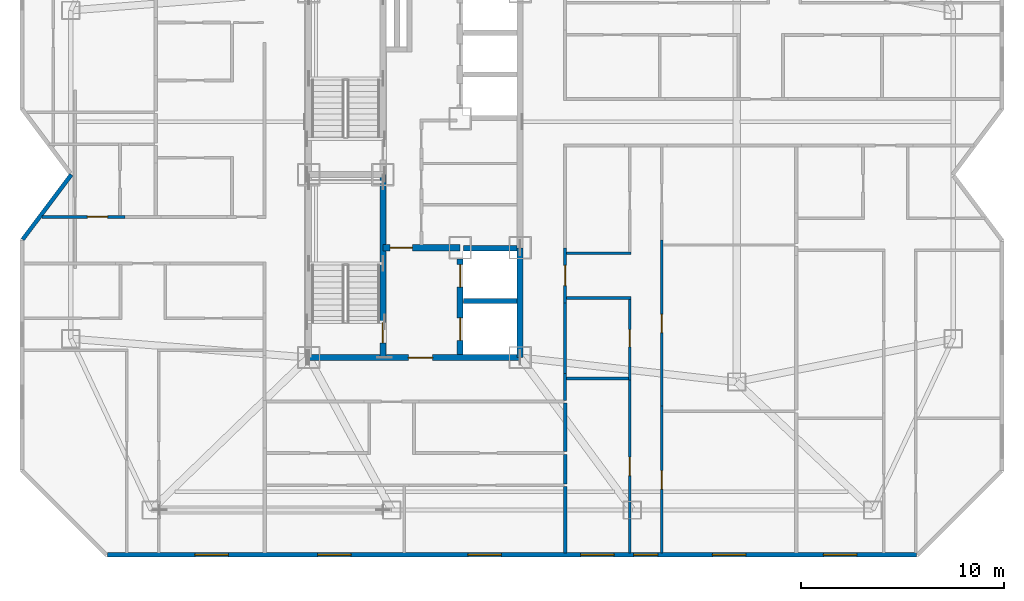
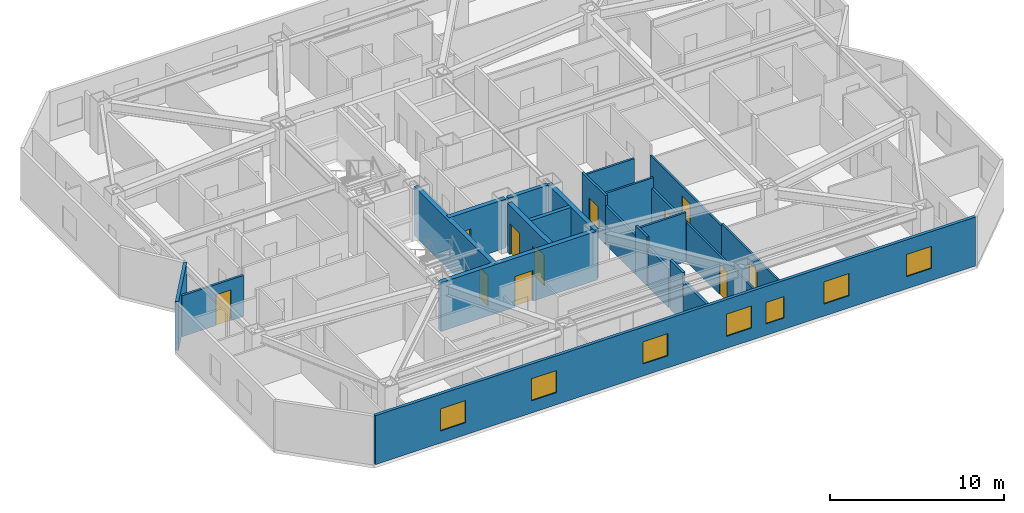
# One storey, part 6 of 11: 23 walls, 11 doors, 7 windows, 18 openings.
"""IFC4 building model written with IfcOpenShell, lengths in metres."""

from ifc_helpers import new_model, si_unit, direction, frame, frame_2d, origin, place, context, subcontext, project, spatial, rectangle, extrude, material, layer, layer_set, type_object, element, fill, save


model = new_model("IFC4")

# Units and contexts
model_context = context("Model", 3, precision=1e-05, world=origin(), true_north=direction((0.0, 1.0)))
body_context = subcontext(model_context, "Body", "Model", "MODEL_VIEW")
ifc_project = project(units=[si_unit("LENGTHUNIT", "METRE"), si_unit("AREAUNIT", "SQUARE_METRE"), si_unit("VOLUMEUNIT", "CUBIC_METRE"), si_unit("PLANEANGLEUNIT", "RADIAN"), si_unit("MASSUNIT", "GRAM", prefix="KILO")], contexts=[model_context])

# Site, building, storey
site_placement = place(None, origin())
site = spatial("IfcSite", under=ifc_project, at=site_placement, CompositionType="ELEMENT")
building_placement = place(site_placement, origin())
building = spatial("IfcBuilding", under=site, at=building_placement, Name="Khamvora Tower", CompositionType="ELEMENT")
storey_placement = place(building_placement, frame((0.0, 0.0, 174.14990234375)))
storey = spatial("IfcBuildingStorey", under=building, at=storey_placement, Name="L44", CompositionType="ELEMENT", Elevation=174.14990234375)

# Wall, opening, door
ifc_material_1 = material(Name="Concrete C50/60", Category="concrete")
ifc_layer_1 = layer(ifc_material_1, 0.300048828125)
ifc_layer_set_1 = layer_set([ifc_layer_1], Name="Concrete C50/60")
wall_type_1 = type_object("IfcWallType", Name="WAL-CORE-300", PredefinedType="SHEAR", material=ifc_layer_set_1)
wall_1_placement = place(storey_placement, frame((29.0, 19.0, 0.0), z_axis=(0.0, 0.0, 1.0), x_axis=(1.0, 0.0, 0.0)))
wall_1 = element("IfcWall", 1, at=wall_1_placement, inside=storey, type_object=wall_type_1, Name="L44 central core south wall", PredefinedType="SHEAR", context=body_context, shape_type="SweptSolid", body=[
    extrude(rectangle(XDim=10.39990234375, YDim=0.300048828125, at=frame_2d((5.199951171875, 0.0))), origin(), (0.0, 0.0, 1.0), 3.43017578125),
])
opening_1_placement = place(wall_1_placement, frame((4.89990234375, 0.0, 0.0)))
opening_1 = element("IfcOpeningElement", 2, at=opening_1_placement, cuts=wall_1, Name="Opening D-CR1", PredefinedType="OPENING", context=body_context, shape_type="SweptSolid", body=[
    extrude(rectangle(XDim=1.199951171875, YDim=2.14990234375, at=frame_2d((0.60009765625, 1.074951171875))), frame((0.0, 0.159912109375, 0.0), z_axis=(0.0, -1.0, 0.0), x_axis=(1.0, 0.0, 0.0)), (0.0, 0.0, 1.0), 0.320068359375),
])
ifc_material_2 = material(Name="Powder-Coated Steel and Hardwood Leaf", Category="steel")
door_type_1 = type_object("IfcDoorType", Name="DOR-CORR-1200", OperationType="NOTDEFINED", PredefinedType="DOOR", material=ifc_material_2)
door_1_placement = place(opening_1_placement, origin())
door_1 = element("IfcDoor", 3, at=door_1_placement, inside=storey, type_object=door_type_1, Name="L44 south core lobby to corridor fire door", OperationType="SINGLE_SWING_LEFT", OverallHeight=2.14990234375, OverallWidth=1.199951171875, PredefinedType="DOOR", context=body_context, shape_type="SweptSolid", body=[
    extrude(rectangle(XDim=1.199951171875, YDim=2.14990234375, at=frame_2d((0.60009765625, 1.074951171875))), frame((0.0, 0.02490234375, 0.0), z_axis=(0.0, -1.0, 0.0), x_axis=(1.0, 0.0, 0.0)), (0.0, 0.0, 1.0), 0.050048828125),
])
fill(opening_1, door_1)

# Wall
wall_2_placement = place(storey_placement, frame((39.39990234375, 19.0, 0.0), z_axis=(0.0, 0.0, 1.0), x_axis=(0.0, 1.0, 0.0)))
element("IfcWall", 4, at=wall_2_placement, inside=storey, type_object=wall_type_1, Name="L44 central core east south wall", PredefinedType="SHEAR", context=body_context, shape_type="SweptSolid", body=[
    extrude(rectangle(XDim=5.39990234375, YDim=0.300048828125, at=frame_2d((2.699951171875, 0.0))), origin(), (0.0, 0.0, 1.0), 3.43017578125),
])

# Wall, opening, door
wall_3_placement = place(storey_placement, frame((32.64990234375, 19.0, 0.0), z_axis=(0.0, 0.0, 1.0), x_axis=(0.0, 1.0, 0.0)))
wall_3 = element("IfcWall", 5, at=wall_3_placement, inside=storey, type_object=wall_type_1, Name="L44 central core stair south spine wall", PredefinedType="SHEAR", context=body_context, shape_type="SweptSolid", body=[
    extrude(rectangle(XDim=9.0, YDim=0.300048828125, at=frame_2d((4.5, 0.0))), origin(), (0.0, 0.0, 1.0), 3.43017578125),
])
opening_2_placement = place(wall_3_placement, frame((0.719970703125, 0.0, 0.0)))
opening_2 = element("IfcOpeningElement", 6, at=opening_2_placement, cuts=wall_3, Name="Opening D-ST1", PredefinedType="OPENING", context=body_context, shape_type="SweptSolid", body=[
    extrude(rectangle(XDim=1.0, YDim=2.14990234375, at=frame_2d((0.5, 1.074951171875))), frame((0.0, 0.159912109375, 0.0), z_axis=(0.0, -1.0, 0.0), x_axis=(1.0, 0.0, 0.0)), (0.0, 0.0, 1.0), 0.320068359375),
])
door_type_2 = type_object("IfcDoorType", Name="DOR-STAIR-1000", OperationType="NOTDEFINED", PredefinedType="DOOR", material=ifc_material_2)
door_2_placement = place(opening_2_placement, origin())
door_2 = element("IfcDoor", 7, at=door_2_placement, inside=storey, type_object=door_type_2, Name="L44 exit stair ST-01 fire door", OperationType="SINGLE_SWING_RIGHT", OverallHeight=2.14990234375, OverallWidth=1.0, PredefinedType="DOOR", context=body_context, shape_type="SweptSolid", body=[
    extrude(rectangle(XDim=1.0, YDim=2.14990234375, at=frame_2d((0.5, 1.074951171875))), frame((0.0, 0.02490234375, 0.0), z_axis=(0.0, -1.0, 0.0), x_axis=(1.0, 0.0, 0.0)), (0.0, 0.0, 1.0), 0.050048828125),
])
fill(opening_2, door_2)

wall_4_placement = place(storey_placement, frame((32.64990234375, 24.39990234375, 0.0), z_axis=(0.0, 0.0, 1.0), x_axis=(1.0, 0.0, 0.0)))
wall_4 = element("IfcWall", 8, at=wall_4_placement, inside=storey, type_object=wall_type_1, Name="L44 central core firefighting lobby north wall", PredefinedType="SHEAR", context=body_context, shape_type="SweptSolid", body=[
    extrude(rectangle(XDim=3.800048828125, YDim=0.300048828125, at=frame_2d((1.89990234375, 0.0))), origin(), (0.0, 0.0, 1.0), 3.43017578125),
])
opening_3_placement = place(wall_4_placement, frame((0.35009765625, 0.0, 0.0)))
opening_3 = element("IfcOpeningElement", 9, at=opening_3_placement, cuts=wall_4, Name="Opening D-FF1", PredefinedType="OPENING", context=body_context, shape_type="SweptSolid", body=[
    extrude(rectangle(XDim=1.10009765625, YDim=2.14990234375, at=frame_2d((0.550048828125, 1.074951171875))), frame((0.0, 0.159912109375, 0.0), z_axis=(0.0, -1.0, 0.0), x_axis=(1.0, 0.0, 0.0)), (0.0, 0.0, 1.0), 0.320068359375),
])
door_type_3 = type_object("IfcDoorType", Name="DOR-FFLOB-1100", OperationType="NOTDEFINED", PredefinedType="DOOR", material=ifc_material_2)
door_3_placement = place(opening_3_placement, origin())
door_3 = element("IfcDoor", 10, at=door_3_placement, inside=storey, type_object=door_type_3, Name="L44 firefighting lobby smoke-seal fire door", OperationType="SINGLE_SWING_RIGHT", OverallHeight=2.14990234375, OverallWidth=1.10009765625, PredefinedType="DOOR", context=body_context, shape_type="SweptSolid", body=[
    extrude(rectangle(XDim=1.10009765625, YDim=2.14990234375, at=frame_2d((0.550048828125, 1.074951171875))), frame((0.0, 0.02490234375, 0.0), z_axis=(0.0, -1.0, 0.0), x_axis=(1.0, 0.0, 0.0)), (0.0, 0.0, 1.0), 0.050048828125),
])
fill(opening_3, door_3)

# Wall, openings, doors
wall_5_placement = place(storey_placement, frame((36.449951171875, 19.154052734375, 0.0), z_axis=(0.0, 0.0, 1.0), x_axis=(0.0, 1.0, 0.0)))
wall_5 = element("IfcWall", 11, at=wall_5_placement, inside=storey, type_object=wall_type_1, Name="L44 central core lift bank south wall", PredefinedType="SHEAR", context=body_context, shape_type="SweptSolid", body=[
    extrude(rectangle(XDim=4.696044921875, YDim=0.300048828125, at=frame_2d((2.34814453125, 0.0))), origin(), (0.0, 0.0, 1.0), 3.43017578125),
])
opening_4_placement = place(wall_5_placement, frame((0.696044921875, 0.0, 0.0)))
opening_4 = element("IfcOpeningElement", 12, at=opening_4_placement, cuts=wall_5, Name="Opening LD-FFL", PredefinedType="OPENING", context=body_context, shape_type="SweptSolid", body=[
    extrude(rectangle(XDim=1.10009765625, YDim=2.14990234375, at=frame_2d((0.550048828125, 1.074951171875))), frame((0.0, 0.159912109375, 0.0), z_axis=(0.0, -1.0, 0.0), x_axis=(1.0, 0.0, 0.0)), (0.0, 0.0, 1.0), 0.320068359375),
])
opening_5_placement = place(wall_5_placement, frame((3.31591796875, 0.0, 0.0)))
opening_5 = element("IfcOpeningElement", 13, at=opening_5_placement, cuts=wall_5, Name="Opening LD-FFL", PredefinedType="OPENING", context=body_context, shape_type="SweptSolid", body=[
    extrude(rectangle(XDim=1.10009765625, YDim=2.14990234375, at=frame_2d((0.550048828125, 1.074951171875))), frame((0.0, 0.159912109375, 0.0), z_axis=(0.0, -1.0, 0.0), x_axis=(1.0, 0.0, 0.0)), (0.0, 0.0, 1.0), 0.320068359375),
])
door_type_4 = type_object("IfcDoorType", Name="DOR-LIFT-1100", OperationType="SLIDING_TO_LEFT", PredefinedType="DOOR", material=ifc_material_2)
door_4_placement = place(opening_4_placement, origin())
door_4 = element("IfcDoor", 14, at=door_4_placement, inside=storey, type_object=door_type_4, Name="L44 lift landing sliding door FFL-01", OperationType="SLIDING_TO_LEFT", OverallHeight=2.14990234375, OverallWidth=1.10009765625, PredefinedType="DOOR", context=body_context, shape_type="SweptSolid", body=[
    extrude(rectangle(XDim=1.10009765625, YDim=2.14990234375, at=frame_2d((0.550048828125, 1.074951171875))), frame((0.0, 0.02490234375, 0.0), z_axis=(0.0, -1.0, 0.0), x_axis=(1.0, 0.0, 0.0)), (0.0, 0.0, 1.0), 0.050048828125),
])
fill(opening_4, door_4)
door_5_placement = place(opening_5_placement, origin())
door_5 = element("IfcDoor", 15, at=door_5_placement, inside=storey, type_object=door_type_4, Name="L44 lift landing sliding door FFL-02", OperationType="SLIDING_TO_LEFT", OverallHeight=2.14990234375, OverallWidth=1.10009765625, PredefinedType="DOOR", context=body_context, shape_type="SweptSolid", body=[
    extrude(rectangle(XDim=1.10009765625, YDim=2.14990234375, at=frame_2d((0.550048828125, 1.074951171875))), frame((0.0, 0.02490234375, 0.0), z_axis=(0.0, -1.0, 0.0), x_axis=(1.0, 0.0, 0.0)), (0.0, 0.0, 1.0), 0.050048828125),
])
fill(opening_5, door_5)

# Wall, opening, door
ifc_material_3 = material(Name="Fire-Rated Drywall and Steel Stud", Category="steel")
ifc_layer_2 = layer(ifc_material_3, 0.14990234375)
ifc_layer_set_2 = layer_set([ifc_layer_2], Name="Fire-Rated Drywall and Steel Stud")
wall_type_2 = type_object("IfcWallType", Name="WAL-CORR-150", PredefinedType="STANDARD", material=ifc_layer_set_2)
wall_6_placement = place(storey_placement, frame((15.8759765625, 25.9150390625, 0.0), z_axis=(0.0, 0.0, 1.0), x_axis=(1.0, 0.0, 0.0)))
wall_6 = element("IfcWall", 16, at=wall_6_placement, inside=storey, type_object=wall_type_2, Name="L44 interior partition wall 014", PredefinedType="STANDARD", context=body_context, shape_type="SweptSolid", body=[
    extrude(rectangle(XDim=4.089111328125, YDim=0.14990234375, at=frame_2d((2.04443359375, 0.0))), origin(), (0.0, 0.0, 1.0), 2.8759765625),
])
opening_6_placement = place(wall_6_placement, frame((2.239990234375, 0.0, 0.0)))
opening_6 = element("IfcOpeningElement", 17, at=opening_6_placement, cuts=wall_6, Name="Opening D-U1", PredefinedType="OPENING", context=body_context, shape_type="SweptSolid", body=[
    extrude(rectangle(XDim=1.0, YDim=2.14990234375, at=frame_2d((0.5, 1.074951171875))), frame((0.0, 0.0849609375, 0.0), z_axis=(0.0, -1.0, 0.0), x_axis=(1.0, 0.0, 0.0)), (0.0, 0.0, 1.0), 0.169921875),
])
door_type_5 = type_object("IfcDoorType", Name="DOR-UNIT-1000", OperationType="NOTDEFINED", PredefinedType="DOOR", material=ifc_material_2)
door_6_placement = place(opening_6_placement, origin())
door_6 = element("IfcDoor", 18, at=door_6_placement, inside=storey, type_object=door_type_5, Name="L44 interior door COR-44WBH", OperationType="SINGLE_SWING_RIGHT", OverallHeight=2.14990234375, OverallWidth=1.0, PredefinedType="DOOR", context=body_context, shape_type="SweptSolid", body=[
    extrude(rectangle(XDim=1.0, YDim=2.14990234375, at=frame_2d((0.5, 1.074951171875))), frame((0.0, 0.02490234375, 0.0), z_axis=(0.0, -1.0, 0.0), x_axis=(1.0, 0.0, 0.0)), (0.0, 0.0, 1.0), 0.050048828125),
])
fill(opening_6, door_6)

# Wall
wall_7_placement = place(storey_placement, frame((41.614990234375, 18.218017578125, 0.0), z_axis=(0.0, 0.0, 1.0), x_axis=(0.0, -1.0, 0.0)))
element("IfcWall", 19, at=wall_7_placement, inside=storey, type_object=wall_type_2, Name="L44 interior partition wall 025", PredefinedType="STANDARD", context=body_context, shape_type="SweptSolid", body=[
    extrude(rectangle(XDim=1.318115234375, YDim=0.14990234375, at=frame_2d((0.6591796875, 0.0))), origin(), (0.0, 0.0, 1.0), 3.43017578125),
])

# Wall, opening, door
wall_8_placement = place(storey_placement, frame((41.614990234375, 24.383056640625, 0.0), z_axis=(0.0, 0.0, 1.0), x_axis=(0.0, -1.0, 0.0)))
wall_8 = element("IfcWall", 20, at=wall_8_placement, inside=storey, type_object=wall_type_2, Name="L44 interior partition wall 027", PredefinedType="STANDARD", context=body_context, shape_type="SweptSolid", body=[
    extrude(rectangle(XDim=2.697998046875, YDim=0.14990234375, at=frame_2d((1.34912109375, 0.0))), origin(), (0.0, 0.0, 1.0), 3.43017578125),
])
opening_7_placement = place(wall_8_placement, frame((0.84912109375, 0.0, 0.0)))
opening_7 = element("IfcOpeningElement", 21, at=opening_7_placement, cuts=wall_8, Name="Opening D-U1", PredefinedType="OPENING", context=body_context, shape_type="SweptSolid", body=[
    extrude(rectangle(XDim=1.0, YDim=2.14990234375, at=frame_2d((0.5, 1.074951171875))), frame((0.0, 0.0849609375, 0.0), z_axis=(0.0, -1.0, 0.0), x_axis=(1.0, 0.0, 0.0)), (0.0, 0.0, 1.0), 0.169921875),
])
door_7_placement = place(opening_7_placement, origin())
door_7 = element("IfcDoor", 22, at=door_7_placement, inside=storey, type_object=door_type_5, Name="L44 interior door COR-44EAH", OperationType="SINGLE_SWING_RIGHT", OverallHeight=2.14990234375, OverallWidth=1.0, PredefinedType="DOOR", context=body_context, shape_type="SweptSolid", body=[
    extrude(rectangle(XDim=1.0, YDim=2.14990234375, at=frame_2d((0.5, 1.074951171875))), frame((0.0, 0.02490234375, 0.0), z_axis=(0.0, -1.0, 0.0), x_axis=(1.0, 0.0, 0.0)), (0.0, 0.0, 1.0), 0.050048828125),
])
fill(opening_7, door_7)

# Walls
wall_9_placement = place(storey_placement, frame((41.614990234375, 21.68505859375, 0.0), z_axis=(0.0, 0.0, 1.0), x_axis=(0.0, -1.0, 0.0)))
element("IfcWall", 23, at=wall_9_placement, inside=storey, type_object=wall_type_2, Name="L44 interior partition wall 028", PredefinedType="STANDARD", context=body_context, shape_type="SweptSolid", body=[
    extrude(rectangle(XDim=3.467041015625, YDim=0.14990234375, at=frame_2d((1.7333984375, 0.0))), origin(), (0.0, 0.0, 1.0), 2.72509765625),
])
ifc_material_4 = material(Name="Acoustic Double-Stud Fire Wall", Category="gypsum")
ifc_layer_3 = layer(ifc_material_4, 0.179931640625)
ifc_layer_set_3 = layer_set([ifc_layer_3], Name="Acoustic Double-Stud Fire Wall")
wall_type_3 = type_object("IfcWallType", Name="WAL-CORR-180", PredefinedType="STANDARD", material=ifc_layer_set_3)
wall_10_placement = place(storey_placement, frame((41.614990234375, 14.239990234375, 0.0), z_axis=(0.0, 0.0, 1.0), x_axis=(0.0, -1.0, 0.0)))
element("IfcWall", 24, at=wall_10_placement, inside=storey, type_object=wall_type_3, Name="L44 interior partition wall 085", PredefinedType="STANDARD", context=body_context, shape_type="SweptSolid", body=[
    extrude(rectangle(XDim=1.449951171875, YDim=0.179931640625, at=frame_2d((0.72509765625, 0.0))), origin(), (0.0, 0.0, 1.0), 3.43017578125),
])
wall_11_placement = place(storey_placement, frame((41.614990234375, 16.77001953125, 0.0), z_axis=(0.0, 0.0, 1.0), x_axis=(0.0, -1.0, 0.0)))
element("IfcWall", 25, at=wall_11_placement, inside=storey, type_object=wall_type_3, Name="L44 interior partition wall 086", PredefinedType="STANDARD", context=body_context, shape_type="SweptSolid", body=[
    extrude(rectangle(XDim=2.39990234375, YDim=0.179931640625, at=frame_2d((1.199951171875, 0.0))), origin(), (0.0, 0.0, 1.0), 2.72509765625),
])
wall_12_placement = place(storey_placement, frame((41.614990234375, 12.659912109375, 0.0), z_axis=(0.0, 0.0, 1.0), x_axis=(0.0, -1.0, 0.0)))
element("IfcWall", 26, at=wall_12_placement, inside=storey, type_object=wall_type_3, Name="L44 interior partition wall 088", PredefinedType="STANDARD", context=body_context, shape_type="SweptSolid", body=[
    extrude(rectangle(XDim=3.267822265625, YDim=0.179931640625, at=frame_2d((1.6337890625, 0.0))), origin(), (0.0, 0.0, 1.0), 2.8759765625),
])
ifc_material_5 = material(Name="Precast concrete C40/50", Category="concrete")
ifc_layer_4 = layer(ifc_material_5, 0.199951171875)
ifc_layer_set_4 = layer_set([ifc_layer_4], Name="Precast concrete C40/50")
wall_type_4 = type_object("IfcWallType", Name="WAL-EXT-200", PredefinedType="STANDARD", material=ifc_layer_set_4)
wall_13_placement = place(storey_placement, frame((14.929931640625, 24.806884765625, 0.0), z_axis=(0.0, 0.0, 1.0), x_axis=(0.600029358831, 0.799977980035, 0.0)))
element("IfcWall", 27, at=wall_13_placement, inside=storey, type_object=wall_type_4, Name="L44 exterior facade wall 03.1", PredefinedType="STANDARD", context=body_context, shape_type="SweptSolid", body=[
    extrude(rectangle(XDim=3.991455078125, YDim=0.199951171875, at=frame_2d((1.99560546875, 0.0))), origin(), (0.0, 0.0, 1.0), 3.43017578125),
])

# Wall, openings, windows
wall_14_placement = place(storey_placement, frame((58.89599609375, 9.300048828125, 0.0), z_axis=(0.0, 0.0, 1.0), x_axis=(-1.0, 0.0, 0.0)))
wall_14 = element("IfcWall", 28, at=wall_14_placement, inside=storey, type_object=wall_type_4, Name="L44 exterior facade wall 14.1", PredefinedType="STANDARD", context=body_context, shape_type="SweptSolid", body=[
    extrude(rectangle(XDim=39.79296875, YDim=0.199951171875, at=frame_2d((19.896484375, 0.0))), origin(), (0.0, 0.0, 1.0), 3.43017578125),
])
opening_8_placement = place(wall_14_placement, frame((33.841064453125, 0.0, 0.85009765625)))
opening_8 = element("IfcOpeningElement", 29, at=opening_8_placement, cuts=wall_14, Name="Opening WN-06", PredefinedType="OPENING", context=body_context, shape_type="SweptSolid", body=[
    extrude(rectangle(XDim=1.64990234375, YDim=1.550048828125, at=frame_2d((0.824951171875, 0.77490234375))), frame((0.0, 0.10986328125, 0.0), z_axis=(0.0, -1.0, 0.0), x_axis=(1.0, 0.0, 0.0)), (0.0, 0.0, 1.0), 0.219970703125),
])
opening_9_placement = place(wall_14_placement, frame((27.80810546875, 0.0, 0.85009765625)))
opening_9 = element("IfcOpeningElement", 30, at=opening_9_placement, cuts=wall_14, Name="Opening WN-06", PredefinedType="OPENING", context=body_context, shape_type="SweptSolid", body=[
    extrude(rectangle(XDim=1.64990234375, YDim=1.550048828125, at=frame_2d((0.824951171875, 0.77490234375))), frame((0.0, 0.10986328125, 0.0), z_axis=(0.0, -1.0, 0.0), x_axis=(1.0, 0.0, 0.0)), (0.0, 0.0, 1.0), 0.219970703125),
])
opening_10_placement = place(wall_14_placement, frame((20.41796875, 0.0, 0.85009765625)))
opening_10 = element("IfcOpeningElement", 31, at=opening_10_placement, cuts=wall_14, Name="Opening WN-06", PredefinedType="OPENING", context=body_context, shape_type="SweptSolid", body=[
    extrude(rectangle(XDim=1.64990234375, YDim=1.550048828125, at=frame_2d((0.824951171875, 0.77490234375))), frame((0.0, 0.10986328125, 0.0), z_axis=(0.0, -1.0, 0.0), x_axis=(1.0, 0.0, 0.0)), (0.0, 0.0, 1.0), 0.219970703125),
])
opening_11_placement = place(wall_14_placement, frame((14.868896484375, 0.0, 0.85009765625)))
opening_11 = element("IfcOpeningElement", 32, at=opening_11_placement, cuts=wall_14, Name="Opening WN-06", PredefinedType="OPENING", context=body_context, shape_type="SweptSolid", body=[
    extrude(rectangle(XDim=1.64990234375, YDim=1.550048828125, at=frame_2d((0.824951171875, 0.77490234375))), frame((0.0, 0.10986328125, 0.0), z_axis=(0.0, -1.0, 0.0), x_axis=(1.0, 0.0, 0.0)), (0.0, 0.0, 1.0), 0.219970703125),
])
opening_12_placement = place(wall_14_placement, frame((12.718017578125, 0.0, 0.800048828125)))
opening_12 = element("IfcOpeningElement", 33, at=opening_12_placement, cuts=wall_14, Name="Opening WN-03", PredefinedType="OPENING", context=body_context, shape_type="SweptSolid", body=[
    extrude(rectangle(XDim=1.199951171875, YDim=1.5, at=frame_2d((0.60009765625, 0.75))), frame((0.0, 0.10986328125, 0.0), z_axis=(0.0, -1.0, 0.0), x_axis=(1.0, 0.0, 0.0)), (0.0, 0.0, 1.0), 0.219970703125),
])
opening_13_placement = place(wall_14_placement, frame((8.39404296875, 0.0, 0.85009765625)))
opening_13 = element("IfcOpeningElement", 34, at=opening_13_placement, cuts=wall_14, Name="Opening WN-06", PredefinedType="OPENING", context=body_context, shape_type="SweptSolid", body=[
    extrude(rectangle(XDim=1.64990234375, YDim=1.550048828125, at=frame_2d((0.824951171875, 0.77490234375))), frame((0.0, 0.10986328125, 0.0), z_axis=(0.0, -1.0, 0.0), x_axis=(1.0, 0.0, 0.0)), (0.0, 0.0, 1.0), 0.219970703125),
])
opening_14_placement = place(wall_14_placement, frame((2.93603515625, 0.0, 0.85009765625)))
opening_14 = element("IfcOpeningElement", 35, at=opening_14_placement, cuts=wall_14, Name="Opening WN-06", PredefinedType="OPENING", context=body_context, shape_type="SweptSolid", body=[
    extrude(rectangle(XDim=1.64990234375, YDim=1.550048828125, at=frame_2d((0.824951171875, 0.77490234375))), frame((0.0, 0.10986328125, 0.0), z_axis=(0.0, -1.0, 0.0), x_axis=(1.0, 0.0, 0.0)), (0.0, 0.0, 1.0), 0.219970703125),
])
ifc_material_6 = material(Name="Low-E Laminated Double Glazing", Category="glass")
window_type_1 = type_object("IfcWindowType", Name="WIN-VIS-1200x1500", PartitioningType="SINGLE_PANEL", PredefinedType="WINDOW", material=ifc_material_6)
window_1_placement = place(opening_12_placement, origin())
window_1 = element("IfcWindow", 36, at=window_1_placement, inside=storey, type_object=window_type_1, Name="L44 vision window 14.1.05", OverallHeight=1.5, OverallWidth=1.199951171875, PartitioningType="SINGLE_PANEL", PredefinedType="WINDOW", context=body_context, shape_type="SweptSolid", body=[
    extrude(rectangle(XDim=1.199951171875, YDim=1.5, at=frame_2d((0.60009765625, 0.75))), frame((0.0, 0.030029296875, 0.0), z_axis=(0.0, -1.0, 0.0), x_axis=(1.0, 0.0, 0.0)), (0.0, 0.0, 1.0), 0.06005859375),
])
fill(opening_12, window_1)
window_type_2 = type_object("IfcWindowType", Name="WIN-VIS-1650x1550", PartitioningType="SINGLE_PANEL", PredefinedType="WINDOW", material=ifc_material_6)
window_2_placement = place(opening_8_placement, origin())
window_2 = element("IfcWindow", 37, at=window_2_placement, inside=storey, type_object=window_type_2, Name="L44 vision window 14.1.01", OverallHeight=1.550048828125, OverallWidth=1.64990234375, PartitioningType="SINGLE_PANEL", PredefinedType="WINDOW", context=body_context, shape_type="SweptSolid", body=[
    extrude(rectangle(XDim=1.64990234375, YDim=1.550048828125, at=frame_2d((0.824951171875, 0.77490234375))), frame((0.0, 0.030029296875, 0.0), z_axis=(0.0, -1.0, 0.0), x_axis=(1.0, 0.0, 0.0)), (0.0, 0.0, 1.0), 0.06005859375),
])
fill(opening_8, window_2)
window_3_placement = place(opening_9_placement, origin())
window_3 = element("IfcWindow", 38, at=window_3_placement, inside=storey, type_object=window_type_2, Name="L44 vision window 14.1.02", OverallHeight=1.550048828125, OverallWidth=1.64990234375, PartitioningType="SINGLE_PANEL", PredefinedType="WINDOW", context=body_context, shape_type="SweptSolid", body=[
    extrude(rectangle(XDim=1.64990234375, YDim=1.550048828125, at=frame_2d((0.824951171875, 0.77490234375))), frame((0.0, 0.030029296875, 0.0), z_axis=(0.0, -1.0, 0.0), x_axis=(1.0, 0.0, 0.0)), (0.0, 0.0, 1.0), 0.06005859375),
])
fill(opening_9, window_3)
window_4_placement = place(opening_10_placement, origin())
window_4 = element("IfcWindow", 39, at=window_4_placement, inside=storey, type_object=window_type_2, Name="L44 vision window 14.1.03", OverallHeight=1.550048828125, OverallWidth=1.64990234375, PartitioningType="SINGLE_PANEL", PredefinedType="WINDOW", context=body_context, shape_type="SweptSolid", body=[
    extrude(rectangle(XDim=1.64990234375, YDim=1.550048828125, at=frame_2d((0.824951171875, 0.77490234375))), frame((0.0, 0.030029296875, 0.0), z_axis=(0.0, -1.0, 0.0), x_axis=(1.0, 0.0, 0.0)), (0.0, 0.0, 1.0), 0.06005859375),
])
fill(opening_10, window_4)
window_5_placement = place(opening_11_placement, origin())
window_5 = element("IfcWindow", 40, at=window_5_placement, inside=storey, type_object=window_type_2, Name="L44 vision window 14.1.04", OverallHeight=1.550048828125, OverallWidth=1.64990234375, PartitioningType="SINGLE_PANEL", PredefinedType="WINDOW", context=body_context, shape_type="SweptSolid", body=[
    extrude(rectangle(XDim=1.64990234375, YDim=1.550048828125, at=frame_2d((0.824951171875, 0.77490234375))), frame((0.0, 0.030029296875, 0.0), z_axis=(0.0, -1.0, 0.0), x_axis=(1.0, 0.0, 0.0)), (0.0, 0.0, 1.0), 0.06005859375),
])
fill(opening_11, window_5)
window_6_placement = place(opening_13_placement, origin())
window_6 = element("IfcWindow", 41, at=window_6_placement, inside=storey, type_object=window_type_2, Name="L44 vision window 14.1.06", OverallHeight=1.550048828125, OverallWidth=1.64990234375, PartitioningType="SINGLE_PANEL", PredefinedType="WINDOW", context=body_context, shape_type="SweptSolid", body=[
    extrude(rectangle(XDim=1.64990234375, YDim=1.550048828125, at=frame_2d((0.824951171875, 0.77490234375))), frame((0.0, 0.030029296875, 0.0), z_axis=(0.0, -1.0, 0.0), x_axis=(1.0, 0.0, 0.0)), (0.0, 0.0, 1.0), 0.06005859375),
])
fill(opening_13, window_6)
window_7_placement = place(opening_14_placement, origin())
window_7 = element("IfcWindow", 42, at=window_7_placement, inside=storey, type_object=window_type_2, Name="L44 vision window 14.1.07", OverallHeight=1.550048828125, OverallWidth=1.64990234375, PartitioningType="SINGLE_PANEL", PredefinedType="WINDOW", context=body_context, shape_type="SweptSolid", body=[
    extrude(rectangle(XDim=1.64990234375, YDim=1.550048828125, at=frame_2d((0.824951171875, 0.77490234375))), frame((0.0, 0.030029296875, 0.0), z_axis=(0.0, -1.0, 0.0), x_axis=(1.0, 0.0, 0.0)), (0.0, 0.0, 1.0), 0.06005859375),
])
fill(opening_14, window_7)

# Wall, opening, door
ifc_material_7 = material(Name="Gypsum Plasterboard Partition", Category="gypsum")
ifc_layer_5 = layer(ifc_material_7, 0.1201171875)
ifc_layer_set_5 = layer_set([ifc_layer_5], Name="Gypsum Plasterboard Partition")
wall_type_5 = type_object("IfcWallType", Name="WAL-PART-120", PredefinedType="PARTITIONING", material=ifc_layer_set_5)
wall_15_placement = place(storey_placement, frame((44.7880859375, 17.904052734375, 0.0), z_axis=(0.0, 0.0, 1.0), x_axis=(0.0, -1.0, 0.0)))
wall_15 = element("IfcWall", 43, at=wall_15_placement, inside=storey, type_object=wall_type_5, Name="L44 interior partition wall 097", PredefinedType="PARTITIONING", context=body_context, shape_type="SweptSolid", body=[
    extrude(rectangle(XDim=8.511962890625, YDim=0.1201171875, at=frame_2d((4.255859375, 0.0))), origin(), (0.0, 0.0, 1.0), 2.72509765625),
])
opening_15_placement = place(wall_15_placement, frame((3.805908203125, 0.0, 0.0)))
opening_15 = element("IfcOpeningElement", 44, at=opening_15_placement, cuts=wall_15, Name="Opening D-RM1", PredefinedType="OPENING", context=body_context, shape_type="SweptSolid", body=[
    extrude(rectangle(XDim=0.89990234375, YDim=2.10009765625, at=frame_2d((0.449951171875, 1.050048828125))), frame((0.0, 0.070068359375, 0.0), z_axis=(0.0, -1.0, 0.0), x_axis=(1.0, 0.0, 0.0)), (0.0, 0.0, 1.0), 0.14013671875),
])
door_type_6 = type_object("IfcDoorType", Name="DOR-ROOM-900", OperationType="NOTDEFINED", PredefinedType="DOOR", material=ifc_material_2)
door_8_placement = place(opening_15_placement, origin())
door_8 = element("IfcDoor", 45, at=door_8_placement, inside=storey, type_object=door_type_6, Name="L44 interior door 44EAW1-44EAH", OperationType="SINGLE_SWING_RIGHT", OverallHeight=2.10009765625, OverallWidth=0.89990234375, PredefinedType="DOOR", context=body_context, shape_type="SweptSolid", body=[
    extrude(rectangle(XDim=0.89990234375, YDim=2.10009765625, at=frame_2d((0.449951171875, 1.050048828125))), frame((0.0, 0.02490234375, 0.0), z_axis=(0.0, -1.0, 0.0), x_axis=(1.0, 0.0, 0.0)), (0.0, 0.0, 1.0), 0.050048828125),
])
fill(opening_15, door_8)

wall_16_placement = place(storey_placement, frame((46.367919921875, 16.615966796875, 0.0), z_axis=(0.0, 0.0, 1.0), x_axis=(0.0, -1.0, 0.0)))
wall_16 = element("IfcWall", 46, at=wall_16_placement, inside=storey, type_object=wall_type_5, Name="L44 interior partition wall 103", PredefinedType="PARTITIONING", context=body_context, shape_type="SweptSolid", body=[
    extrude(rectangle(XDim=7.223876953125, YDim=0.1201171875, at=frame_2d((3.61181640625, 0.0))), origin(), (0.0, 0.0, 1.0), 2.8759765625),
])
opening_16_placement = place(wall_16_placement, frame((3.18310546875, 0.0, 0.0)))
opening_16 = element("IfcOpeningElement", 47, at=opening_16_placement, cuts=wall_16, Name="Opening D-RM1", PredefinedType="OPENING", context=body_context, shape_type="SweptSolid", body=[
    extrude(rectangle(XDim=0.89990234375, YDim=2.10009765625, at=frame_2d((0.449951171875, 1.050048828125))), frame((0.0, 0.070068359375, 0.0), z_axis=(0.0, -1.0, 0.0), x_axis=(1.0, 0.0, 0.0)), (0.0, 0.0, 1.0), 0.14013671875),
])
door_9_placement = place(opening_16_placement, origin())
door_9 = element("IfcDoor", 48, at=door_9_placement, inside=storey, type_object=door_type_6, Name="L44 interior door 44EAH-44EAR1", OperationType="SINGLE_SWING_LEFT", OverallHeight=2.10009765625, OverallWidth=0.89990234375, PredefinedType="DOOR", context=body_context, shape_type="SweptSolid", body=[
    extrude(rectangle(XDim=0.89990234375, YDim=2.10009765625, at=frame_2d((0.449951171875, 1.050048828125))), frame((0.0, 0.02490234375, 0.0), z_axis=(0.0, -1.0, 0.0), x_axis=(1.0, 0.0, 0.0)), (0.0, 0.0, 1.0), 0.050048828125),
])
fill(opening_16, door_9)

wall_17_placement = place(storey_placement, frame((46.367919921875, 24.784912109375, 0.0), z_axis=(0.0, 0.0, 1.0), x_axis=(0.0, -1.0, 0.0)))
wall_17 = element("IfcWall", 49, at=wall_17_placement, inside=storey, type_object=wall_type_5, Name="L44 interior partition wall 104", PredefinedType="PARTITIONING", context=body_context, shape_type="SweptSolid", body=[
    extrude(rectangle(XDim=8.1689453125, YDim=0.1201171875, at=frame_2d((4.08447265625, 0.0))), origin(), (0.0, 0.0, 1.0), 2.72509765625),
])
opening_17_placement = place(wall_17_placement, frame((3.655029296875, 0.0, 0.0)))
opening_17 = element("IfcOpeningElement", 50, at=opening_17_placement, cuts=wall_17, Name="Opening D-RM1", PredefinedType="OPENING", context=body_context, shape_type="SweptSolid", body=[
    extrude(rectangle(XDim=0.89990234375, YDim=2.10009765625, at=frame_2d((0.449951171875, 1.050048828125))), frame((0.0, 0.070068359375, 0.0), z_axis=(0.0, -1.0, 0.0), x_axis=(1.0, 0.0, 0.0)), (0.0, 0.0, 1.0), 0.14013671875),
])
door_10_placement = place(opening_17_placement, origin())
door_10 = element("IfcDoor", 51, at=door_10_placement, inside=storey, type_object=door_type_6, Name="L44 interior door 44EAH-44EAR2", OperationType="SINGLE_SWING_RIGHT", OverallHeight=2.10009765625, OverallWidth=0.89990234375, PredefinedType="DOOR", context=body_context, shape_type="SweptSolid", body=[
    extrude(rectangle(XDim=0.89990234375, YDim=2.10009765625, at=frame_2d((0.449951171875, 1.050048828125))), frame((0.0, 0.02490234375, 0.0), z_axis=(0.0, -1.0, 0.0), x_axis=(1.0, 0.0, 0.0)), (0.0, 0.0, 1.0), 0.050048828125),
])
fill(opening_17, door_10)

# Walls
ifc_material_8 = material(Name="Concrete C40/50", Category="concrete")
ifc_layer_6 = layer(ifc_material_8, 0.25)
ifc_layer_set_6 = layer_set([ifc_layer_6], Name="Concrete C40/50")
wall_type_6 = type_object("IfcWallType", Name="WAL-PODS-250", PredefinedType="SHEAR", material=ifc_layer_set_6)
for number, where, z_axis, x_axis, name in (
    (52, (36.60400390625, 21.77490234375, 0.0), (0.0, 0.0, 1.0), (1.0, 0.0, 0.0), "L44 lift shaft divider wall FFL-01"),
    (53, (36.60400390625, 24.375, 0.0), (0.0, 0.0, 1.0), (1.0, 0.0, 0.0), "L44 lift shaft divider wall FFL-02"),
):
    element("IfcWall", number, at=place(storey_placement, frame(where, z_axis=z_axis, x_axis=x_axis)), inside=storey, type_object=wall_type_6, Name=name, PredefinedType="SHEAR", context=body_context, shape_type="SweptSolid", body=[
        extrude(rectangle(XDim=2.64208984375, YDim=0.25, at=frame_2d((1.321044921875, 0.0))), origin(), (0.0, 0.0, 1.0), 3.43017578125),
    ])
ifc_material_9 = material(Name="Moisture-Resistant Plasterboard Partition", Category="gypsum")
ifc_layer_7 = layer(ifc_material_9, 0.135009765625)
ifc_layer_set_7 = layer_set([ifc_layer_7], Name="Moisture-Resistant Plasterboard Partition")
wall_type_7 = type_object("IfcWallType", Name="WAL-WET-135", PredefinedType="PARTITIONING", material=ifc_layer_set_7)
wall_18_placement = place(storey_placement, frame((41.681884765625, 17.968994140625, 0.0), z_axis=(0.0, 0.0, 1.0), x_axis=(1.0, 0.0, 0.0)))
element("IfcWall", 54, at=wall_18_placement, inside=storey, type_object=wall_type_7, Name="L44 interior partition wall 098", PredefinedType="PARTITIONING", context=body_context, shape_type="SweptSolid", body=[
    extrude(rectangle(XDim=3.041015625, YDim=0.135009765625, at=frame_2d((1.5205078125, 0.0))), origin(), (0.0, 0.0, 1.0), 3.43017578125),
])

# Wall, opening, door
wall_19_placement = place(storey_placement, frame((44.7880859375, 17.904052734375, 0.0), z_axis=(0.0, 0.0, 1.0), x_axis=(0.0, 1.0, 0.0)))
wall_19 = element("IfcWall", 55, at=wall_19_placement, inside=storey, type_object=wall_type_7, Name="L44 interior partition wall 099", PredefinedType="PARTITIONING", context=body_context, shape_type="SweptSolid", body=[
    extrude(rectangle(XDim=4.094970703125, YDim=0.135009765625, at=frame_2d((2.04736328125, 0.0))), origin(), (0.0, 0.0, 1.0), 2.72509765625),
])
opening_18_placement = place(wall_19_placement, frame((1.6220703125, 0.0, 0.0)))
opening_18 = element("IfcOpeningElement", 56, at=opening_18_placement, cuts=wall_19, Name="Opening D-WC1", PredefinedType="OPENING", context=body_context, shape_type="SweptSolid", body=[
    extrude(rectangle(XDim=0.85009765625, YDim=2.10009765625, at=frame_2d((0.425048828125, 1.050048828125))), frame((0.0, 0.077392578125, 0.0), z_axis=(0.0, -1.0, 0.0), x_axis=(1.0, 0.0, 0.0)), (0.0, 0.0, 1.0), 0.155029296875),
])
door_type_7 = type_object("IfcDoorType", Name="DOR-WET-850", OperationType="NOTDEFINED", PredefinedType="DOOR", material=ifc_material_2)
door_11_placement = place(opening_18_placement, origin())
door_11 = element("IfcDoor", 57, at=door_11_placement, inside=storey, type_object=door_type_7, Name="L44 interior door 44EAH-44EAB", OperationType="SINGLE_SWING_LEFT", OverallHeight=2.10009765625, OverallWidth=0.85009765625, PredefinedType="DOOR", context=body_context, shape_type="SweptSolid", body=[
    extrude(rectangle(XDim=0.85009765625, YDim=2.10009765625, at=frame_2d((0.425048828125, 1.050048828125))), frame((0.0, 0.02490234375, 0.0), z_axis=(0.0, -1.0, 0.0), x_axis=(1.0, 0.0, 0.0)), (0.0, 0.0, 1.0), 0.050048828125),
])
fill(opening_18, door_11)

# Walls
for number, where, z_axis, x_axis, name in (
    (58, (44.85302734375, 21.93408203125, 0.0), (0.0, 0.0, 1.0), (-1.0, 0.0, 0.0), "L44 interior partition wall 100"),
    (59, (41.681884765625, 24.134033203125, 0.0), (0.0, 0.0, 1.0), (1.0, 0.0, 0.0), "L44 interior partition wall 101"),
):
    element("IfcWall", number, at=place(storey_placement, frame(where, z_axis=z_axis, x_axis=x_axis)), inside=storey, type_object=wall_type_7, Name=name, PredefinedType="PARTITIONING", context=body_context, shape_type="SweptSolid", body=[
        extrude(rectangle(XDim=3.171142578125, YDim=0.135009765625, at=frame_2d((1.58544921875, 0.0))), origin(), (0.0, 0.0, 1.0), 3.43017578125),
    ])

save(model, "model.ifc")
